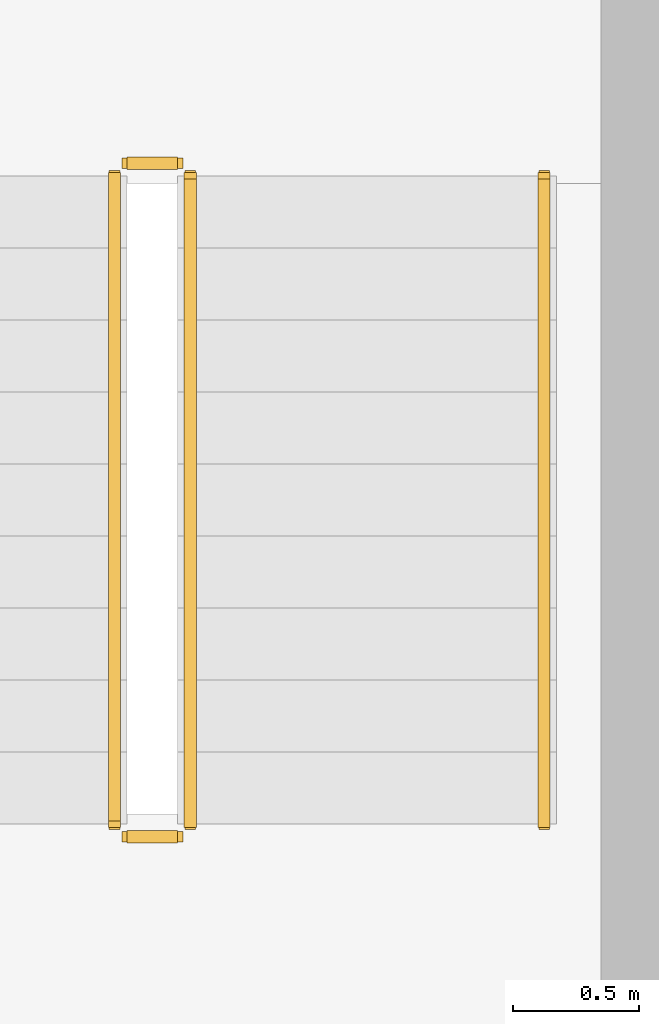
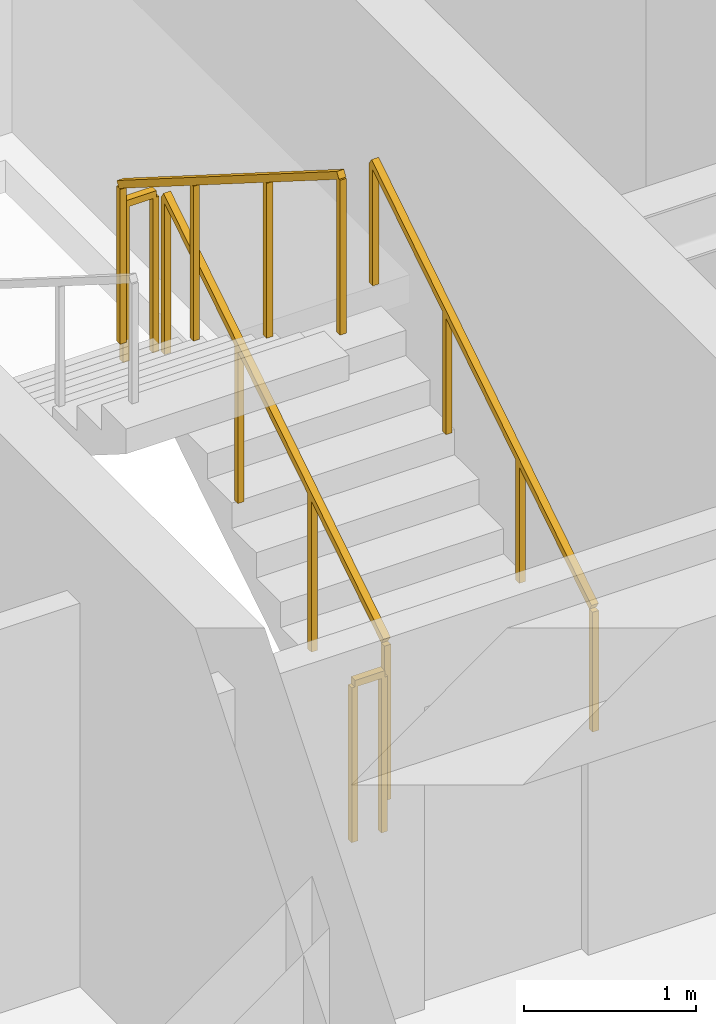
# One storey, part 22 of 22: 5 railings.
"""IFC4 building model written with IfcOpenShell, lengths in metres."""

from ifc_helpers import new_model, si_unit, direction, frame, origin, origin_2d, place, context, subcontext, project, spatial, rectangle, extrude, material, type_object, element, save


model = new_model("IFC4")

# Units and contexts
model_context = context("Model", 3, precision=1e-05, world=origin(), true_north=direction((0.0, 1.0)))
body_context = subcontext(model_context, "Body", "Model", "MODEL_VIEW")
ifc_project = project(units=[si_unit("LENGTHUNIT", "METRE"), si_unit("AREAUNIT", "SQUARE_METRE"), si_unit("VOLUMEUNIT", "CUBIC_METRE"), si_unit("PLANEANGLEUNIT", "RADIAN"), si_unit("MASSUNIT", "GRAM", prefix="KILO")], contexts=[model_context])

# Site, building, storey
site_placement = place(None, origin())
site = spatial("IfcSite", under=ifc_project, at=site_placement, CompositionType="ELEMENT")
building_placement = place(site_placement, origin())
building = spatial("IfcBuilding", under=site, at=building_placement, Name="Sarneth Arch Tower", CompositionType="ELEMENT")
storey_placement = place(building_placement, frame((0.0, 0.0, 294.60009765625)))
storey = spatial("IfcBuildingStorey", under=building, at=storey_placement, Name="L76", CompositionType="ELEMENT", Elevation=294.60009765625)

# Railings
ifc_material_1 = material(Name="Brushed Stainless Steel 304 tubular handrail", Category="steel")
railing_type_1 = type_object("IfcRailingType", Name="RAIL-HANDRAIL-900", PredefinedType="HANDRAIL", material=ifc_material_1)
railing_1_placement = place(storey_placement, frame((58.60009765625, 41.449951171875, 0.179931640625)))
element("IfcRailing", 1, at=railing_1_placement, inside=storey, type_object=railing_type_1, Name="L76 ST-2 stair handrail 1", PredefinedType="HANDRAIL", context=body_context, shape_type="SweptSolid", body=[
    extrude(rectangle(XDim=0.048095703125, YDim=0.048095703125, at=origin_2d()), frame((0.0, 0.0, 0.8759765625), z_axis=(0.0, 0.845502289212, 0.533971796014), x_axis=(-1.0, 0.0, 0.0)), (0.0, 0.0, 1.0), 3.03369140625),
    extrude(rectangle(XDim=0.0419921875, YDim=0.0419921875, at=origin_2d()), origin(), (0.0, 0.0, 1.0), 0.851806640625),
    extrude(rectangle(XDim=0.0419921875, YDim=0.0419921875, at=origin_2d()), frame((0.0, 0.85498046875, 0.5400390625)), (0.0, 0.0, 1.0), 0.851806640625),
    extrude(rectangle(XDim=0.0419921875, YDim=0.0419921875, at=origin_2d()), frame((0.0, 1.7099609375, 1.079833984375)), (0.0, 0.0, 1.0), 0.851806640625),
    extrude(rectangle(XDim=0.0419921875, YDim=0.0419921875, at=origin_2d()), frame((0.0, 2.56494140625, 1.619873046875)), (0.0, 0.0, 1.0), 0.851806640625),
])
ifc_material_2 = material(Name="Painted Steel S275 stair well guard", Category="steel")
railing_type_2 = type_object("IfcRailingType", Name="RAIL-STAIR-GUARD", PredefinedType="GUARDRAIL", material=ifc_material_2)
railing_2_placement = place(storey_placement, frame((57.199951171875, 41.449951171875, 0.179931640625)))
element("IfcRailing", 2, at=railing_2_placement, inside=storey, type_object=railing_type_2, Name="L76 ST-2 stair guard 1", PredefinedType="GUARDRAIL", context=body_context, shape_type="SweptSolid", body=[
    extrude(rectangle(XDim=0.048095703125, YDim=0.048095703125, at=origin_2d()), frame((0.0, 0.0, 1.1259765625), z_axis=(0.0, 0.845502289212, 0.533971796014), x_axis=(-1.0, 0.0, 0.0)), (0.0, 0.0, 1.0), 3.03369140625),
    extrude(rectangle(XDim=0.0419921875, YDim=0.0419921875, at=origin_2d()), origin(), (0.0, 0.0, 1.0), 1.101806640625),
    extrude(rectangle(XDim=0.0419921875, YDim=0.0419921875, at=origin_2d()), frame((0.0, 0.85498046875, 0.5400390625)), (0.0, 0.0, 1.0), 1.101806640625),
    extrude(rectangle(XDim=0.0419921875, YDim=0.0419921875, at=origin_2d()), frame((0.0, 1.7099609375, 1.079833984375)), (0.0, 0.0, 1.0), 1.101806640625),
    extrude(rectangle(XDim=0.0419921875, YDim=0.0419921875, at=origin_2d()), frame((0.0, 2.56494140625, 1.619873046875)), (0.0, 0.0, 1.0), 1.101806640625),
])
railing_3_placement = place(storey_placement, frame((57.14990234375, 44.06494140625, 1.7998046875)))
element("IfcRailing", 3, at=railing_3_placement, inside=storey, type_object=railing_type_2, Name="L76 ST-2 stair guard 2", PredefinedType="GUARDRAIL", context=body_context, shape_type="SweptSolid", body=[
    extrude(rectangle(XDim=0.048095703125, YDim=0.048095703125, at=origin_2d()), frame((0.0, 0.0, 1.1259765625), z_axis=(-1.0, 0.0, 0.0), x_axis=(0.0, -1.0, 0.0)), (0.0, 0.0, 1.0), 0.199951171875),
    extrude(rectangle(XDim=0.0419921875, YDim=0.0419921875, at=origin_2d()), origin(), (0.0, 0.0, 1.0), 1.101806640625),
    extrude(rectangle(XDim=0.0419921875, YDim=0.0419921875, at=origin_2d()), frame((-0.199951171875, 0.0, 0.0)), (0.0, 0.0, 1.0), 1.101806640625),
])
railing_4_placement = place(storey_placement, frame((56.89990234375, 44.014892578125, 1.97998046875)))
element("IfcRailing", 4, at=railing_4_placement, inside=storey, type_object=railing_type_2, Name="L76 ST-2 stair guard 3", PredefinedType="GUARDRAIL", context=body_context, shape_type="SweptSolid", body=[
    extrude(rectangle(XDim=0.048095703125, YDim=0.048095703125, at=origin_2d()), frame((0.0, 0.0, 1.1259765625), z_axis=(0.0, -0.845502289212, 0.533971796014), x_axis=(1.0, 0.0, 0.0)), (0.0, 0.0, 1.0), 3.03369140625),
    extrude(rectangle(XDim=0.0419921875, YDim=0.0419921875, at=origin_2d()), origin(), (0.0, 0.0, 1.0), 1.101806640625),
    extrude(rectangle(XDim=0.0419921875, YDim=0.0419921875, at=origin_2d()), frame((0.0, -0.85498046875, 0.5400390625)), (0.0, 0.0, 1.0), 1.101806640625),
    extrude(rectangle(XDim=0.0419921875, YDim=0.0419921875, at=origin_2d()), frame((0.0, -1.7099609375, 1.079833984375)), (0.0, 0.0, 1.0), 1.101806640625),
    extrude(rectangle(XDim=0.0419921875, YDim=0.0419921875, at=origin_2d()), frame((0.0, -2.56494140625, 1.619873046875)), (0.0, 0.0, 1.0), 1.101806640625),
])
railing_5_placement = place(storey_placement, frame((57.14990234375, 41.39990234375, 0.0)))
element("IfcRailing", 5, at=railing_5_placement, inside=storey, type_object=railing_type_2, Name="L76 ST-2 stair guard 4", PredefinedType="GUARDRAIL", context=body_context, shape_type="SweptSolid", body=[
    extrude(rectangle(XDim=0.048095703125, YDim=0.048095703125, at=origin_2d()), frame((0.0, 0.0, 1.1259765625), z_axis=(-1.0, 0.0, 0.0), x_axis=(0.0, -1.0, 0.0)), (0.0, 0.0, 1.0), 0.199951171875),
    extrude(rectangle(XDim=0.0419921875, YDim=0.0419921875, at=origin_2d()), origin(), (0.0, 0.0, 1.0), 1.101806640625),
    extrude(rectangle(XDim=0.0419921875, YDim=0.0419921875, at=origin_2d()), frame((-0.199951171875, 0.0, 0.0)), (0.0, 0.0, 1.0), 1.101806640625),
])

save(model, "model.ifc")
